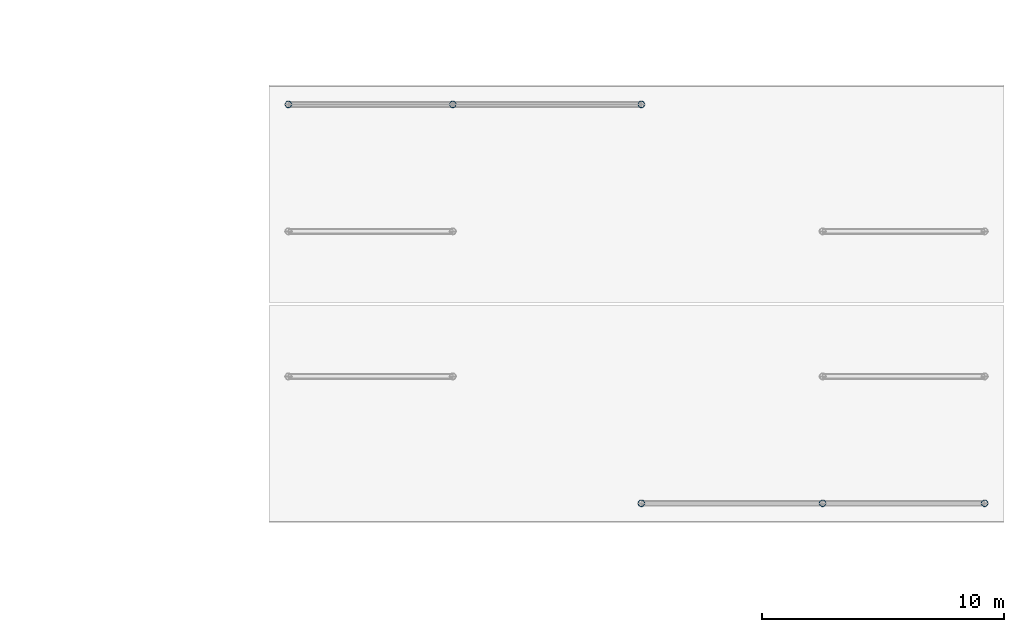
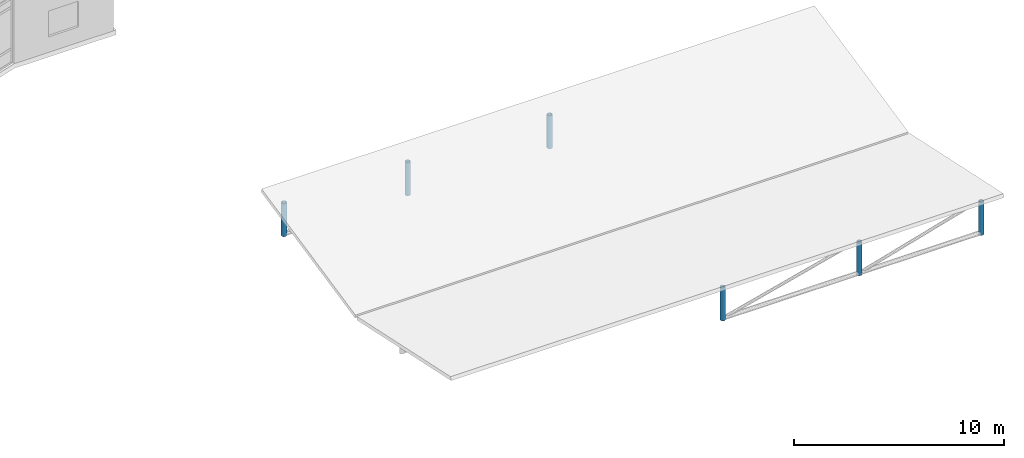
# One storey, part 14 of 146: 6 columns.
"""IFC4 building model written with IfcOpenShell, lengths in metres."""

from ifc_helpers import new_model, si_unit, direction, frame, origin, origin_2d, place, context, subcontext, project, spatial, hollow_circle, extrude, material, material_profile, profile_set, type_object, element, save


model = new_model("IFC4")

# Units and contexts
model_context = context("Model", 3, precision=1e-05, world=origin(), true_north=direction((0.0, 1.0)))
body_context = subcontext(model_context, "Body", "Model", "MODEL_VIEW")
ifc_project = project(units=[si_unit("LENGTHUNIT", "METRE"), si_unit("AREAUNIT", "SQUARE_METRE"), si_unit("VOLUMEUNIT", "CUBIC_METRE"), si_unit("PLANEANGLEUNIT", "RADIAN"), si_unit("MASSUNIT", "GRAM", prefix="KILO")], contexts=[model_context])

# Site, building, storey
site_placement = place(None, origin())
site = spatial("IfcSite", under=ifc_project, at=site_placement, CompositionType="ELEMENT")
building_placement = place(site_placement, origin())
building = spatial("IfcBuilding", under=site, at=building_placement, Name="Valcora Specialist Clinic", CompositionType="ELEMENT")
storey_placement = place(building_placement, frame((0.0, 0.0, 9.52001953125)))
storey = spatial("IfcBuildingStorey", under=building, at=storey_placement, Name="L02", CompositionType="ELEMENT", Elevation=9.52001953125)

# Columns
ifc_material = material(Name="Steel ASTM A500 Grade C", Category="steel")
ifc_material_profile = material_profile(ifc_material, hollow_circle(Radius=0.136474609375, WallThickness=0.011962890625, at=origin_2d()), Name="ST-CHS-273X12")
ifc_profile_set = profile_set([ifc_material_profile], Name="Steel ASTM A500 Grade C")
column_type = type_object("IfcColumnType", Name="TY-COL-CHS273", PredefinedType="COLUMN", material=ifc_profile_set)
for number, where, z_axis, x_axis, name in (
    (1, (147.0, 38.75, 0.0), (0.0, 0.0, 1.0), (1.0, 0.0, 0.0), "Butterfly roof stub post 147.0-38.75"),
    (2, (154.5, 38.75, 0.0), (0.0, 0.0, 1.0), (1.0, 0.0, 0.0), "Butterfly roof stub post 154.5-38.75"),
    (3, (161.199951171875, 38.75, 0.0), (0.0, 0.0, 1.0), (1.0, 0.0, 0.0), "Butterfly roof stub post 161.2-38.75"),
    (4, (132.39990234375, 55.25, 0.0), (0.0, 0.0, 1.0), (1.0, 0.0, 0.0), "Butterfly roof stub post 132.4-55.25"),
    (5, (139.199951171875, 55.25, 0.0), (0.0, 0.0, 1.0), (1.0, 0.0, 0.0), "Butterfly roof stub post 139.2-55.25"),
    (6, (147.0, 55.25, 0.0), (0.0, 0.0, 1.0), (1.0, 0.0, 0.0), "Butterfly roof stub post 147.0-55.25"),
):
    element("IfcColumn", number, at=place(storey_placement, frame(where, z_axis=z_axis, x_axis=x_axis)), inside=storey, type_object=column_type, Name=name, PredefinedType="COLUMN", context=body_context, shape_type="SweptSolid", body=[
        extrude(hollow_circle(Radius=0.136474609375, WallThickness=0.011962890625, at=origin_2d()), origin(), (0.0, 0.0, 1.0), 1.91748046875),
    ])

save(model, "model.ifc")
